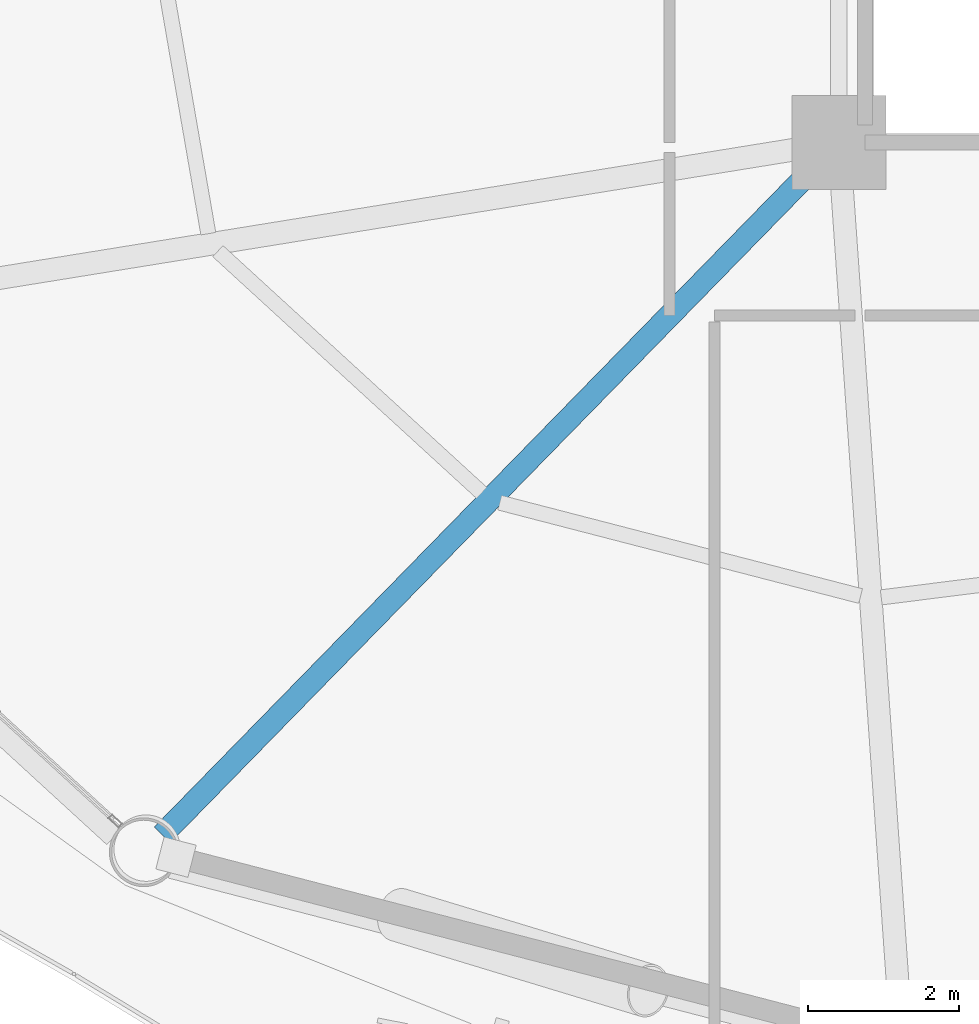
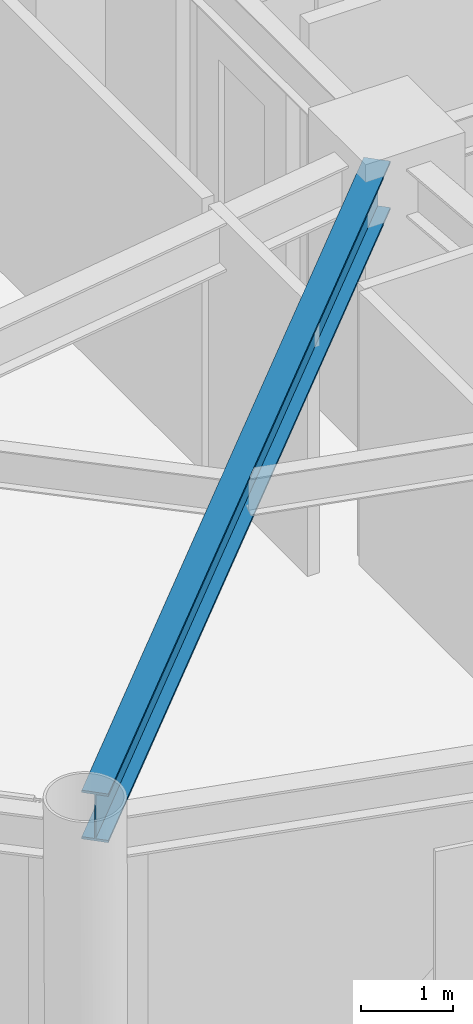
# One storey, part 3 of 23: 1 beam.
"""IFC4 building model written with IfcOpenShell, lengths in metres."""

from ifc_helpers import new_model, si_unit, direction, frame, origin, origin_2d, place, context, subcontext, project, spatial, i_section, extrude, material, material_profile, profile_set, type_object, element, save


model = new_model("IFC4")

# Units and contexts
model_context = context("Model", 3, precision=1e-05, world=origin(), true_north=direction((0.0, 1.0)))
body_context = subcontext(model_context, "Body", "Model", "MODEL_VIEW")
ifc_project = project(units=[si_unit("LENGTHUNIT", "METRE"), si_unit("AREAUNIT", "SQUARE_METRE"), si_unit("VOLUMEUNIT", "CUBIC_METRE"), si_unit("PLANEANGLEUNIT", "RADIAN"), si_unit("MASSUNIT", "GRAM", prefix="KILO")], contexts=[model_context])

# Site, building, storey
site_placement = place(None, origin())
site = spatial("IfcSite", under=ifc_project, at=site_placement, CompositionType="ELEMENT")
building_placement = place(site_placement, origin())
building = spatial("IfcBuilding", under=site, at=building_placement, Name="Varnakorn Sky Granary", CompositionType="ELEMENT")
storey_placement = place(building_placement, frame((0.0, 0.0, 31.5)))
storey = spatial("IfcBuildingStorey", under=building, at=storey_placement, Name="L07", CompositionType="ELEMENT", Elevation=31.5)

# Beam
ifc_material = material(Name="Steel S355JR", Category="steel")
ifc_material_profile = material_profile(ifc_material, i_section(OverallWidth=0.300048828125, OverallDepth=0.64990234375, WebThickness=0.01611328125, FlangeThickness=0.031005859375, at=origin_2d()), Name="HE 650 B")
ifc_profile_set = profile_set([ifc_material_profile], Name="Steel S355JR")
beam_type = type_object("IfcBeamType", Name="BM-RAD-Z1", PredefinedType="BEAM", material=ifc_profile_set)
beam_placement = place(storey_placement, frame((-2.6435546875, -6.900390625, 3.31494140625), z_axis=(-0.698834596288, -0.715283305433, 0.0), x_axis=(0.715283305433, -0.698834596288, 0.0)))
element("IfcBeam", 1, at=beam_placement, inside=storey, type_object=beam_type, Name="Radial Floor Girder RG09 L07", PredefinedType="BEAM", context=body_context, shape_type="SweptSolid", body=[
    extrude(i_section(OverallWidth=0.300048828125, OverallDepth=0.64990234375, WebThickness=0.01611328125, FlangeThickness=0.031005859375, at=origin_2d()), origin(), (0.0, 0.0, 1.0), 12.43798828125),
])

save(model, "model.ifc")
